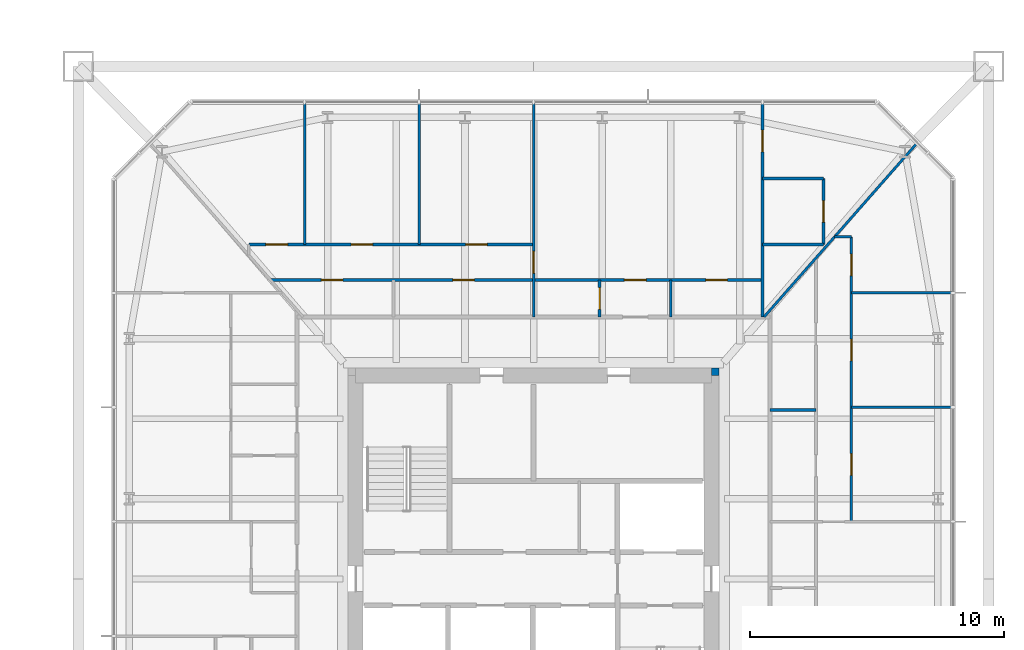
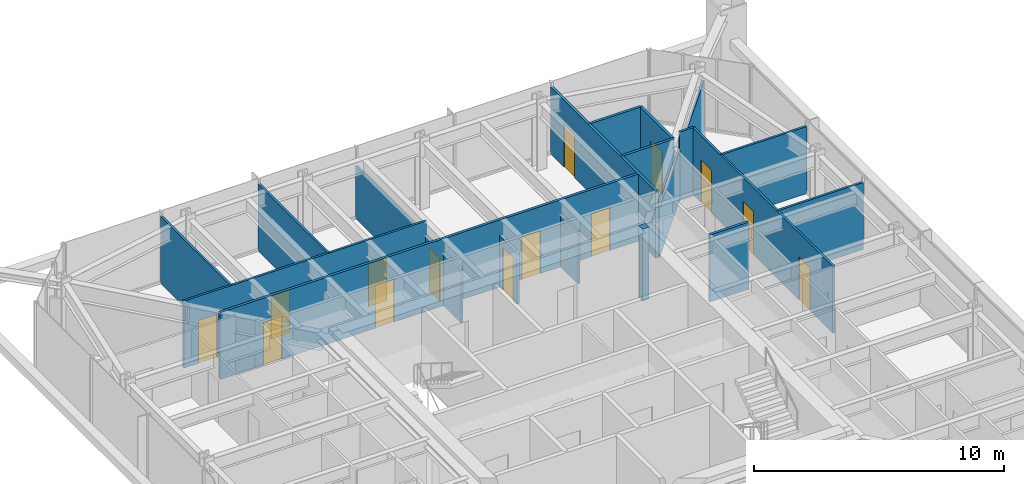
# One storey, part 22 of 27: 18 walls, 14 doors, 14 openings.
"""IFC4 building model written with IfcOpenShell, lengths in metres."""

from ifc_helpers import new_model, si_unit, direction, frame, frame_2d, origin, place, context, subcontext, project, spatial, rectangle, extrude, material, layer, layer_set, type_object, element, fill, save


model = new_model("IFC4")

# Units and contexts
model_context = context("Model", 3, precision=1e-05, world=origin(), true_north=direction((0.0, 1.0)))
body_context = subcontext(model_context, "Body", "Model", "MODEL_VIEW")
ifc_project = project(units=[si_unit("LENGTHUNIT", "METRE"), si_unit("AREAUNIT", "SQUARE_METRE"), si_unit("VOLUMEUNIT", "CUBIC_METRE"), si_unit("PLANEANGLEUNIT", "RADIAN"), si_unit("MASSUNIT", "GRAM", prefix="KILO")], contexts=[model_context])

# Site, building, storey
site_placement = place(None, origin())
site = spatial("IfcSite", under=ifc_project, at=site_placement, CompositionType="ELEMENT")
building_placement = place(site_placement, origin())
building = spatial("IfcBuilding", under=site, at=building_placement, Name="Iwan Alto Co-Living Towers", CompositionType="ELEMENT")
storey_placement = place(building_placement, frame((0.0, 0.0, 53.5)))
storey = spatial("IfcBuildingStorey", under=building, at=storey_placement, Name="L14", CompositionType="ELEMENT", Elevation=53.5)

# Walls
ifc_material_1 = material(Name="Gypsum board")
ifc_layer_1 = layer(ifc_material_1, 0.012451171875, Name="Board", Category="Finish")
ifc_material_2 = material(Name="Steel ASTM A1003 ST33H cold-formed studs", Category="steel")
ifc_layer_2 = layer(ifc_material_2, 0.074951171875, Name="Studs", Category="Framing")
ifc_layer_3 = layer(ifc_material_1, 0.012451171875, Name="Board", Category="Finish")
ifc_layer_set_1 = layer_set([ifc_layer_1, ifc_layer_2, ifc_layer_3], Name="PARTITION 100")
wall_type_1 = type_object("IfcWallType", Name="PARTITION 100", PredefinedType="PARTITIONING", material=ifc_layer_set_1)
for number, where, z_axis, x_axis, name in (
    (1, (75.5, 6.75, 0.0), (0.0, 0.0, 1.0), (1.0, 0.0, 0.0), "Partition L14"),
    (2, (75.5, 11.25, 0.0), (0.0, 0.0, 1.0), (1.0, 0.0, 0.0), "Partition L14"),
):
    element("IfcWall", number, at=place(storey_placement, frame(where, z_axis=z_axis, x_axis=x_axis)), inside=storey, type_object=wall_type_1, Name=name, PredefinedType="PARTITIONING", context=body_context, shape_type="SweptSolid", body=[
        extrude(rectangle(XDim=3.93994140625, YDim=0.10009765625, at=frame_2d((1.969970703125, 0.0))), origin(), (0.0, 0.0, 1.0), 3.27001953125),
    ])

# Wall, openings, doors
wall_1_placement = place(storey_placement, frame((51.800048828125, 13.14990234375, 0.0), z_axis=(0.0, 0.0, 1.0), x_axis=(1.0, 0.0, 0.0)))
wall_1 = element("IfcWall", 3, at=wall_1_placement, inside=storey, type_object=wall_type_1, Name="Partition L14", PredefinedType="PARTITIONING", context=body_context, shape_type="SweptSolid", body=[
    extrude(rectangle(XDim=11.199951171875, YDim=0.10009765625, at=frame_2d((5.60009765625, 0.0))), origin(), (0.0, 0.0, 1.0), 3.27001953125),
])
opening_1_placement = place(wall_1_placement, frame((8.52490234375, 0.0, 0.0)))
opening_1 = element("IfcOpeningElement", 4, at=opening_1_placement, cuts=wall_1, Name="Opening D2", PredefinedType="OPENING", context=body_context, shape_type="SweptSolid", body=[
    extrude(rectangle(XDim=0.85009765625, YDim=2.10009765625, at=frame_2d((0.425048828125, 1.050048828125))), frame((0.0, 0.06005859375, 0.0), z_axis=(0.0, -1.0, 0.0), x_axis=(1.0, 0.0, 0.0)), (0.0, 0.0, 1.0), 0.1201171875),
])
opening_2_placement = place(wall_1_placement, frame((4.02490234375, 0.0, 0.0)))
opening_2 = element("IfcOpeningElement", 5, at=opening_2_placement, cuts=wall_1, Name="Opening D2", PredefinedType="OPENING", context=body_context, shape_type="SweptSolid", body=[
    extrude(rectangle(XDim=0.85009765625, YDim=2.10009765625, at=frame_2d((0.425048828125, 1.050048828125))), frame((0.0, 0.06005859375, 0.0), z_axis=(0.0, -1.0, 0.0), x_axis=(1.0, 0.0, 0.0)), (0.0, 0.0, 1.0), 0.1201171875),
])
opening_3_placement = place(wall_1_placement, frame((0.675048828125, 0.0, 0.0)))
opening_3 = element("IfcOpeningElement", 6, at=opening_3_placement, cuts=wall_1, Name="Opening D2", PredefinedType="OPENING", context=body_context, shape_type="SweptSolid", body=[
    extrude(rectangle(XDim=0.85009765625, YDim=2.10009765625, at=frame_2d((0.425048828125, 1.050048828125))), frame((0.0, 0.06005859375, 0.0), z_axis=(0.0, -1.0, 0.0), x_axis=(1.0, 0.0, 0.0)), (0.0, 0.0, 1.0), 0.1201171875),
])
ifc_material_3 = material(Name="Timber leaf in steel frame", Category="steel")
door_type = type_object("IfcDoorType", Name="ROOM DOOR 850X2100", OperationType="SINGLE_SWING_LEFT", PredefinedType="DOOR", material=ifc_material_3)
door_1_placement = place(opening_1_placement, origin())
door_1 = element("IfcDoor", 7, at=door_1_placement, inside=storey, type_object=door_type, Name="Study door L14", OperationType="SINGLE_SWING_LEFT", OverallHeight=2.10009765625, OverallWidth=0.85009765625, PredefinedType="DOOR", context=body_context, shape_type="SweptSolid", body=[
    extrude(rectangle(XDim=0.85009765625, YDim=2.10009765625, at=frame_2d((0.425048828125, 1.050048828125))), frame((0.0, 0.02490234375, 0.0), z_axis=(0.0, -1.0, 0.0), x_axis=(1.0, 0.0, 0.0)), (0.0, 0.0, 1.0), 0.050048828125),
])
fill(opening_1, door_1)
door_2_placement = place(opening_2_placement, origin())
door_2 = element("IfcDoor", 8, at=door_2_placement, inside=storey, type_object=door_type, Name="Bedroom door L14", OperationType="SINGLE_SWING_LEFT", OverallHeight=2.10009765625, OverallWidth=0.85009765625, PredefinedType="DOOR", context=body_context, shape_type="SweptSolid", body=[
    extrude(rectangle(XDim=0.85009765625, YDim=2.10009765625, at=frame_2d((0.425048828125, 1.050048828125))), frame((0.0, 0.02490234375, 0.0), z_axis=(0.0, -1.0, 0.0), x_axis=(1.0, 0.0, 0.0)), (0.0, 0.0, 1.0), 0.050048828125),
])
fill(opening_2, door_2)
door_3_placement = place(opening_3_placement, origin())
door_3 = element("IfcDoor", 9, at=door_3_placement, inside=storey, type_object=door_type, Name="Bedroom door L14", OperationType="SINGLE_SWING_RIGHT", OverallHeight=2.10009765625, OverallWidth=0.85009765625, PredefinedType="DOOR", context=body_context, shape_type="SweptSolid", body=[
    extrude(rectangle(XDim=0.85009765625, YDim=2.10009765625, at=frame_2d((0.425048828125, 1.050048828125))), frame((0.0, 0.02490234375, 0.0), z_axis=(0.0, -1.0, 0.0), x_axis=(1.0, 0.0, 0.0)), (0.0, 0.0, 1.0), 0.050048828125),
])
fill(opening_3, door_3)

# Walls
wall_2_placement = place(storey_placement, frame((74.8359375, 13.449951171875, 0.0), z_axis=(0.0, 0.0, 1.0), x_axis=(1.0, 0.0, 0.0)))
element("IfcWall", 10, at=wall_2_placement, inside=storey, type_object=wall_type_1, Name="Partition L14", PredefinedType="PARTITIONING", context=body_context, shape_type="SweptSolid", body=[
    extrude(rectangle(XDim=0.6640625, YDim=0.10009765625, at=frame_2d((0.33203125, 0.0))), origin(), (0.0, 0.0, 1.0), 3.27001953125),
])
wall_3_placement = place(storey_placement, frame((72.06396484375, 10.300048828125, 0.0), z_axis=(0.0, 0.0, 1.0), x_axis=(0.660700699661, 0.750649442461, 0.0)))
element("IfcWall", 11, at=wall_3_placement, inside=storey, type_object=wall_type_1, Name="Partition L14", PredefinedType="PARTITIONING", context=body_context, shape_type="SweptSolid", body=[
    extrude(rectangle(XDim=9.07080078125, YDim=0.10009765625, at=frame_2d((4.535400390625, 0.0))), origin(), (0.0, 0.0, 1.0), 2.42919921875),
])

# Wall, openings, doors
wall_4_placement = place(storey_placement, frame((75.5, 2.25, 0.0), z_axis=(0.0, 0.0, 1.0), x_axis=(0.0, 1.0, 0.0)))
wall_4 = element("IfcWall", 12, at=wall_4_placement, inside=storey, type_object=wall_type_1, Name="Partition L14", PredefinedType="PARTITIONING", context=body_context, shape_type="SweptSolid", body=[
    extrude(rectangle(XDim=11.199951171875, YDim=0.10009765625, at=frame_2d((5.60009765625, 0.0))), origin(), (0.0, 0.0, 1.0), 3.27001953125),
])
opening_4_placement = place(wall_4_placement, frame((1.824951171875, 0.0, 0.0)))
opening_4 = element("IfcOpeningElement", 13, at=opening_4_placement, cuts=wall_4, Name="Opening D2", PredefinedType="OPENING", context=body_context, shape_type="SweptSolid", body=[
    extrude(rectangle(XDim=0.85009765625, YDim=2.10009765625, at=frame_2d((0.425048828125, 1.050048828125))), frame((0.0, 0.06005859375, 0.0), z_axis=(0.0, -1.0, 0.0), x_axis=(1.0, 0.0, 0.0)), (0.0, 0.0, 1.0), 0.1201171875),
])
opening_5_placement = place(wall_4_placement, frame((6.324951171875, 0.0, 0.0)))
opening_5 = element("IfcOpeningElement", 14, at=opening_5_placement, cuts=wall_4, Name="Opening D2", PredefinedType="OPENING", context=body_context, shape_type="SweptSolid", body=[
    extrude(rectangle(XDim=0.85009765625, YDim=2.10009765625, at=frame_2d((0.425048828125, 1.050048828125))), frame((0.0, 0.06005859375, 0.0), z_axis=(0.0, -1.0, 0.0), x_axis=(1.0, 0.0, 0.0)), (0.0, 0.0, 1.0), 0.1201171875),
])
opening_6_placement = place(wall_4_placement, frame((9.675048828125, 0.0, 0.0)))
opening_6 = element("IfcOpeningElement", 15, at=opening_6_placement, cuts=wall_4, Name="Opening D2", PredefinedType="OPENING", context=body_context, shape_type="SweptSolid", body=[
    extrude(rectangle(XDim=0.85009765625, YDim=2.10009765625, at=frame_2d((0.425048828125, 1.050048828125))), frame((0.0, 0.06005859375, 0.0), z_axis=(0.0, -1.0, 0.0), x_axis=(1.0, 0.0, 0.0)), (0.0, 0.0, 1.0), 0.1201171875),
])
door_4_placement = place(opening_4_placement, frame((0.85009765625, 0.0, 0.0), z_axis=(0.0, 0.0, 1.0), x_axis=(-1.0, 0.0, 0.0)))
door_4 = element("IfcDoor", 16, at=door_4_placement, inside=storey, type_object=door_type, Name="Family room door L14", OperationType="SINGLE_SWING_RIGHT", OverallHeight=2.10009765625, OverallWidth=0.85009765625, PredefinedType="DOOR", context=body_context, shape_type="SweptSolid", body=[
    extrude(rectangle(XDim=0.85009765625, YDim=2.10009765625, at=frame_2d((0.425048828125, 1.050048828125))), frame((0.0, 0.02490234375, 0.0), z_axis=(0.0, -1.0, 0.0), x_axis=(1.0, 0.0, 0.0)), (0.0, 0.0, 1.0), 0.050048828125),
])
fill(opening_4, door_4)
door_5_placement = place(opening_5_placement, frame((0.85009765625, 0.0, 0.0), z_axis=(0.0, 0.0, 1.0), x_axis=(-1.0, 0.0, 0.0)))
door_5 = element("IfcDoor", 17, at=door_5_placement, inside=storey, type_object=door_type, Name="Bedroom door L14", OperationType="SINGLE_SWING_RIGHT", OverallHeight=2.10009765625, OverallWidth=0.85009765625, PredefinedType="DOOR", context=body_context, shape_type="SweptSolid", body=[
    extrude(rectangle(XDim=0.85009765625, YDim=2.10009765625, at=frame_2d((0.425048828125, 1.050048828125))), frame((0.0, 0.02490234375, 0.0), z_axis=(0.0, -1.0, 0.0), x_axis=(1.0, 0.0, 0.0)), (0.0, 0.0, 1.0), 0.050048828125),
])
fill(opening_5, door_5)
door_6_placement = place(opening_6_placement, frame((0.85009765625, 0.0, 0.0), z_axis=(0.0, 0.0, 1.0), x_axis=(-1.0, 0.0, 0.0)))
door_6 = element("IfcDoor", 18, at=door_6_placement, inside=storey, type_object=door_type, Name="Study door L14", OperationType="SINGLE_SWING_RIGHT", OverallHeight=2.10009765625, OverallWidth=0.85009765625, PredefinedType="DOOR", context=body_context, shape_type="SweptSolid", body=[
    extrude(rectangle(XDim=0.85009765625, YDim=2.10009765625, at=frame_2d((0.425048828125, 1.050048828125))), frame((0.0, 0.02490234375, 0.0), z_axis=(0.0, -1.0, 0.0), x_axis=(1.0, 0.0, 0.0)), (0.0, 0.0, 1.0), 0.050048828125),
])
fill(opening_6, door_6)

# Wall
wall_5_placement = place(storey_placement, frame((68.39990234375, 10.300048828125, 0.0), z_axis=(0.0, 0.0, 1.0), x_axis=(0.0, 1.0, 0.0)))
element("IfcWall", 19, at=wall_5_placement, inside=storey, type_object=wall_type_1, Name="Partition L14", PredefinedType="PARTITIONING", context=body_context, shape_type="SweptSolid", body=[
    extrude(rectangle(XDim=1.449951171875, YDim=0.10009765625, at=frame_2d((0.72509765625, 0.0))), origin(), (0.0, 0.0, 1.0), 2.586669921875),
])

# Wall, opening, door
wall_6_placement = place(storey_placement, frame((63.0, 10.300048828125, 0.0), z_axis=(0.0, 0.0, 1.0), x_axis=(0.0, 1.0, 0.0)))
wall_6 = element("IfcWall", 20, at=wall_6_placement, inside=storey, type_object=wall_type_1, Name="Partition L14", PredefinedType="PARTITIONING", context=body_context, shape_type="SweptSolid", body=[
    extrude(rectangle(XDim=8.389892578125, YDim=0.10009765625, at=frame_2d((4.19482421875, 0.0))), origin(), (0.0, 0.0, 1.0), 2.586669921875),
])
opening_7_placement = place(wall_6_placement, frame((1.72509765625, 0.0, 0.0)))
opening_7 = element("IfcOpeningElement", 21, at=opening_7_placement, cuts=wall_6, Name="Opening D2", PredefinedType="OPENING", context=body_context, shape_type="SweptSolid", body=[
    extrude(rectangle(XDim=0.85009765625, YDim=2.10009765625, at=frame_2d((0.425048828125, 1.050048828125))), frame((0.0, 0.06005859375, 0.0), z_axis=(0.0, -1.0, 0.0), x_axis=(1.0, 0.0, 0.0)), (0.0, 0.0, 1.0), 0.1201171875),
])
door_7_placement = place(opening_7_placement, frame((0.85009765625, 0.0, 0.0), z_axis=(0.0, 0.0, 1.0), x_axis=(-1.0, 0.0, 0.0)))
door_7 = element("IfcDoor", 22, at=door_7_placement, inside=storey, type_object=door_type, Name="Apartment hall door L14", OperationType="SINGLE_SWING_RIGHT", OverallHeight=2.10009765625, OverallWidth=0.85009765625, PredefinedType="DOOR", context=body_context, shape_type="SweptSolid", body=[
    extrude(rectangle(XDim=0.85009765625, YDim=2.10009765625, at=frame_2d((0.425048828125, 1.050048828125))), frame((0.0, 0.02490234375, 0.0), z_axis=(0.0, -1.0, 0.0), x_axis=(1.0, 0.0, 0.0)), (0.0, 0.0, 1.0), 0.050048828125),
])
fill(opening_7, door_7)

# Walls
for number, where, z_axis, x_axis, name in (
    (23, (58.5, 13.14990234375, 0.0), (0.0, 0.0, 1.0), (0.0, 1.0, 0.0), "Partition L14"),
    (24, (54.0, 13.14990234375, 0.0), (0.0, 0.0, 1.0), (0.0, 1.0, 0.0), "Partition L14"),
):
    element("IfcWall", number, at=place(storey_placement, frame(where, z_axis=z_axis, x_axis=x_axis)), inside=storey, type_object=wall_type_1, Name=name, PredefinedType="PARTITIONING", context=body_context, shape_type="SweptSolid", body=[
        extrude(rectangle(XDim=5.5400390625, YDim=0.10009765625, at=frame_2d((2.77001953125, 0.0))), origin(), (0.0, 0.0, 1.0), 3.27001953125),
    ])
ifc_material_4 = material(Name="Concrete f'c 70 MPa", Category="concrete")
ifc_layer_4 = layer(ifc_material_4, 0.300048828125)
ifc_layer_set_2 = layer_set([ifc_layer_4], Name="T2 CORE CORNER FILL 300")
wall_type_2 = type_object("IfcWallType", Name="T2 CORE CORNER FILL 300", PredefinedType="SOLIDWALL", material=ifc_layer_set_2)
wall_7_placement = place(storey_placement, frame((70.0, 8.14990234375, 0.0), z_axis=(0.0, 0.0, 1.0), x_axis=(1.0, 0.0, 0.0)))
element("IfcWall", 25, at=wall_7_placement, inside=storey, type_object=wall_type_2, Name="T2 core corner NE L14", PredefinedType="SOLIDWALL", context=body_context, shape_type="SweptSolid", body=[
    extrude(rectangle(XDim=0.300048828125, YDim=0.300048828125, at=frame_2d((0.14990234375, 0.0))), origin(), (0.0, 0.0, 1.0), 3.5),
])
ifc_material_5 = material(Name="Cement board")
ifc_layer_5 = layer(ifc_material_5, 0.012451171875, Name="Board", Category="Finish")
ifc_layer_6 = layer(ifc_material_2, 0.094970703125, Name="Studs", Category="Framing")
ifc_layer_7 = layer(ifc_material_5, 0.012451171875, Name="Board", Category="Finish")
ifc_layer_set_3 = layer_set([ifc_layer_5, ifc_layer_6, ifc_layer_7], Name="WET AREA PARTITION 120")
wall_type_3 = type_object("IfcWallType", Name="WET AREA PARTITION 120", PredefinedType="PARTITIONING", material=ifc_layer_set_3)
wall_8_placement = place(storey_placement, frame((72.300048828125, 6.64990234375, 0.0), z_axis=(0.0, 0.0, 1.0), x_axis=(1.0, 0.0, 0.0)))
element("IfcWall", 26, at=wall_8_placement, inside=storey, type_object=wall_type_3, Name="Partition L14", PredefinedType="PARTITIONING", context=body_context, shape_type="SweptSolid", body=[
    extrude(rectangle(XDim=1.800048828125, YDim=0.1201171875, at=frame_2d((0.89990234375, 0.0))), origin(), (0.0, 0.0, 1.0), 3.27001953125),
])

# Wall, openings, doors
wall_9_placement = place(storey_placement, frame((52.659912109375, 11.75, 0.0), z_axis=(0.0, 0.0, 1.0), x_axis=(1.0, 0.0, 0.0)))
wall_9 = element("IfcWall", 27, at=wall_9_placement, inside=storey, type_object=wall_type_3, Name="Partition L14", PredefinedType="PARTITIONING", context=body_context, shape_type="SweptSolid", body=[
    extrude(rectangle(XDim=19.340087890625, YDim=0.1201171875, at=frame_2d((9.669921875, 0.0))), origin(), (0.0, 0.0, 1.0), 3.27001953125),
])
opening_8_placement = place(wall_9_placement, frame((17.114990234375, 0.0, 0.0)))
opening_8 = element("IfcOpeningElement", 28, at=opening_8_placement, cuts=wall_9, Name="Opening D2", PredefinedType="OPENING", context=body_context, shape_type="SweptSolid", body=[
    extrude(rectangle(XDim=0.85009765625, YDim=2.10009765625, at=frame_2d((0.425048828125, 1.050048828125))), frame((0.0, 0.070068359375, 0.0), z_axis=(0.0, -1.0, 0.0), x_axis=(1.0, 0.0, 0.0)), (0.0, 0.0, 1.0), 0.14013671875),
])
opening_9_placement = place(wall_9_placement, frame((13.9150390625, 0.0, 0.0)))
opening_9 = element("IfcOpeningElement", 29, at=opening_9_placement, cuts=wall_9, Name="Opening D2", PredefinedType="OPENING", context=body_context, shape_type="SweptSolid", body=[
    extrude(rectangle(XDim=0.85009765625, YDim=2.10009765625, at=frame_2d((0.425048828125, 1.050048828125))), frame((0.0, 0.070068359375, 0.0), z_axis=(0.0, -1.0, 0.0), x_axis=(1.0, 0.0, 0.0)), (0.0, 0.0, 1.0), 0.14013671875),
])
opening_10_placement = place(wall_9_placement, frame((7.1650390625, 0.0, 0.0)))
opening_10 = element("IfcOpeningElement", 30, at=opening_10_placement, cuts=wall_9, Name="Opening D2", PredefinedType="OPENING", context=body_context, shape_type="SweptSolid", body=[
    extrude(rectangle(XDim=0.85009765625, YDim=2.10009765625, at=frame_2d((0.425048828125, 1.050048828125))), frame((0.0, 0.070068359375, 0.0), z_axis=(0.0, -1.0, 0.0), x_axis=(1.0, 0.0, 0.0)), (0.0, 0.0, 1.0), 0.14013671875),
])
opening_11_placement = place(wall_9_placement, frame((1.9951171875, 0.0, 0.0)))
opening_11 = element("IfcOpeningElement", 31, at=opening_11_placement, cuts=wall_9, Name="Opening D2", PredefinedType="OPENING", context=body_context, shape_type="SweptSolid", body=[
    extrude(rectangle(XDim=0.85009765625, YDim=2.10009765625, at=frame_2d((0.425048828125, 1.050048828125))), frame((0.0, 0.070068359375, 0.0), z_axis=(0.0, -1.0, 0.0), x_axis=(1.0, 0.0, 0.0)), (0.0, 0.0, 1.0), 0.14013671875),
])
door_8_placement = place(opening_8_placement, origin())
door_8 = element("IfcDoor", 32, at=door_8_placement, inside=storey, type_object=door_type, Name="Kitchen door L14", OperationType="SINGLE_SWING_RIGHT", OverallHeight=2.10009765625, OverallWidth=0.85009765625, PredefinedType="DOOR", context=body_context, shape_type="SweptSolid", body=[
    extrude(rectangle(XDim=0.85009765625, YDim=2.10009765625, at=frame_2d((0.425048828125, 1.050048828125))), frame((0.0, 0.02490234375, 0.0), z_axis=(0.0, -1.0, 0.0), x_axis=(1.0, 0.0, 0.0)), (0.0, 0.0, 1.0), 0.050048828125),
])
fill(opening_8, door_8)
door_9_placement = place(opening_9_placement, origin())
door_9 = element("IfcDoor", 33, at=door_9_placement, inside=storey, type_object=door_type, Name="Apartment foyer door L14", OperationType="SINGLE_SWING_LEFT", OverallHeight=2.10009765625, OverallWidth=0.85009765625, PredefinedType="DOOR", context=body_context, shape_type="SweptSolid", body=[
    extrude(rectangle(XDim=0.85009765625, YDim=2.10009765625, at=frame_2d((0.425048828125, 1.050048828125))), frame((0.0, 0.02490234375, 0.0), z_axis=(0.0, -1.0, 0.0), x_axis=(1.0, 0.0, 0.0)), (0.0, 0.0, 1.0), 0.050048828125),
])
fill(opening_9, door_9)
door_10_placement = place(opening_10_placement, frame((0.85009765625, 0.0, 0.0), z_axis=(0.0, 0.0, 1.0), x_axis=(-1.0, 0.0, 0.0)))
door_10 = element("IfcDoor", 34, at=door_10_placement, inside=storey, type_object=door_type, Name="Utility room door L14", OperationType="SINGLE_SWING_RIGHT", OverallHeight=2.10009765625, OverallWidth=0.85009765625, PredefinedType="DOOR", context=body_context, shape_type="SweptSolid", body=[
    extrude(rectangle(XDim=0.85009765625, YDim=2.10009765625, at=frame_2d((0.425048828125, 1.050048828125))), frame((0.0, 0.02490234375, 0.0), z_axis=(0.0, -1.0, 0.0), x_axis=(1.0, 0.0, 0.0)), (0.0, 0.0, 1.0), 0.050048828125),
])
fill(opening_10, door_10)
door_11_placement = place(opening_11_placement, frame((0.85009765625, 0.0, 0.0), z_axis=(0.0, 0.0, 1.0), x_axis=(-1.0, 0.0, 0.0)))
door_11 = element("IfcDoor", 35, at=door_11_placement, inside=storey, type_object=door_type, Name="Store room door L14", OperationType="SINGLE_SWING_RIGHT", OverallHeight=2.10009765625, OverallWidth=0.85009765625, PredefinedType="DOOR", context=body_context, shape_type="SweptSolid", body=[
    extrude(rectangle(XDim=0.85009765625, YDim=2.10009765625, at=frame_2d((0.425048828125, 1.050048828125))), frame((0.0, 0.02490234375, 0.0), z_axis=(0.0, -1.0, 0.0), x_axis=(1.0, 0.0, 0.0)), (0.0, 0.0, 1.0), 0.050048828125),
])
fill(opening_11, door_11)

# Walls
for number, where, z_axis, x_axis, name in (
    (36, (72.0, 13.14990234375, 0.0), (0.0, 0.0, 1.0), (1.0, 0.0, 0.0), "Partition L14"),
    (37, (72.0, 15.75, 0.0), (0.0, 0.0, 1.0), (1.0, 0.0, 0.0), "Partition L14"),
):
    element("IfcWall", number, at=place(storey_placement, frame(where, z_axis=z_axis, x_axis=x_axis)), inside=storey, type_object=wall_type_3, Name=name, PredefinedType="PARTITIONING", context=body_context, shape_type="SweptSolid", body=[
        extrude(rectangle(XDim=2.39990234375, YDim=0.1201171875, at=frame_2d((1.199951171875, 0.0))), origin(), (0.0, 0.0, 1.0), 3.27001953125),
    ])

# Wall, opening, door
wall_10_placement = place(storey_placement, frame((74.39990234375, 13.14990234375, 0.0), z_axis=(0.0, 0.0, 1.0), x_axis=(0.0, 1.0, 0.0)))
wall_10 = element("IfcWall", 38, at=wall_10_placement, inside=storey, type_object=wall_type_3, Name="Partition L14", PredefinedType="PARTITIONING", context=body_context, shape_type="SweptSolid", body=[
    extrude(rectangle(XDim=2.60009765625, YDim=0.1201171875, at=frame_2d((1.300048828125, 0.0))), origin(), (0.0, 0.0, 1.0), 3.27001953125),
])
opening_12_placement = place(wall_10_placement, frame((0.875, 0.0, 0.0)))
opening_12 = element("IfcOpeningElement", 39, at=opening_12_placement, cuts=wall_10, Name="Opening D2", PredefinedType="OPENING", context=body_context, shape_type="SweptSolid", body=[
    extrude(rectangle(XDim=0.85009765625, YDim=2.10009765625, at=frame_2d((0.425048828125, 1.050048828125))), frame((0.0, 0.070068359375, 0.0), z_axis=(0.0, -1.0, 0.0), x_axis=(1.0, 0.0, 0.0)), (0.0, 0.0, 1.0), 0.14013671875),
])
door_12_placement = place(opening_12_placement, frame((0.85009765625, 0.0, 0.0), z_axis=(0.0, 0.0, 1.0), x_axis=(-1.0, 0.0, 0.0)))
door_12 = element("IfcDoor", 40, at=door_12_placement, inside=storey, type_object=door_type, Name="En-suite shower room door L14", OperationType="SINGLE_SWING_RIGHT", OverallHeight=2.10009765625, OverallWidth=0.85009765625, PredefinedType="DOOR", context=body_context, shape_type="SweptSolid", body=[
    extrude(rectangle(XDim=0.85009765625, YDim=2.10009765625, at=frame_2d((0.425048828125, 1.050048828125))), frame((0.0, 0.02490234375, 0.0), z_axis=(0.0, -1.0, 0.0), x_axis=(1.0, 0.0, 0.0)), (0.0, 0.0, 1.0), 0.050048828125),
])
fill(opening_12, door_12)

wall_11_placement = place(storey_placement, frame((72.0, 10.300048828125, 0.0), z_axis=(0.0, 0.0, 1.0), x_axis=(0.0, 1.0, 0.0)))
wall_11 = element("IfcWall", 41, at=wall_11_placement, inside=storey, type_object=wall_type_3, Name="Partition L14", PredefinedType="PARTITIONING", context=body_context, shape_type="SweptSolid", body=[
    extrude(rectangle(XDim=8.389892578125, YDim=0.1201171875, at=frame_2d((4.19482421875, 0.0))), origin(), (0.0, 0.0, 1.0), 3.27001953125),
])
opening_13_placement = place(wall_11_placement, frame((6.4951171875, 0.0, 0.0)))
opening_13 = element("IfcOpeningElement", 42, at=opening_13_placement, cuts=wall_11, Name="Opening D2", PredefinedType="OPENING", context=body_context, shape_type="SweptSolid", body=[
    extrude(rectangle(XDim=0.85009765625, YDim=2.10009765625, at=frame_2d((0.425048828125, 1.050048828125))), frame((0.0, 0.070068359375, 0.0), z_axis=(0.0, -1.0, 0.0), x_axis=(1.0, 0.0, 0.0)), (0.0, 0.0, 1.0), 0.14013671875),
])
door_13_placement = place(opening_13_placement, origin())
door_13 = element("IfcDoor", 43, at=door_13_placement, inside=storey, type_object=door_type, Name="Bedroom door L14", OperationType="SINGLE_SWING_RIGHT", OverallHeight=2.10009765625, OverallWidth=0.85009765625, PredefinedType="DOOR", context=body_context, shape_type="SweptSolid", body=[
    extrude(rectangle(XDim=0.85009765625, YDim=2.10009765625, at=frame_2d((0.425048828125, 1.050048828125))), frame((0.0, 0.02490234375, 0.0), z_axis=(0.0, -1.0, 0.0), x_axis=(1.0, 0.0, 0.0)), (0.0, 0.0, 1.0), 0.050048828125),
])
fill(opening_13, door_13)

wall_12_placement = place(storey_placement, frame((65.60009765625, 10.300048828125, 0.0), z_axis=(0.0, 0.0, 1.0), x_axis=(0.0, 1.0, 0.0)))
wall_12 = element("IfcWall", 44, at=wall_12_placement, inside=storey, type_object=wall_type_3, Name="Partition L14", PredefinedType="PARTITIONING", context=body_context, shape_type="SweptSolid", body=[
    extrude(rectangle(XDim=1.449951171875, YDim=0.1201171875, at=frame_2d((0.72509765625, 0.0))), origin(), (0.0, 0.0, 1.0), 2.508056640625),
])
opening_14_placement = place(wall_12_placement, frame((0.300048828125, 0.0, 0.0)))
opening_14 = element("IfcOpeningElement", 45, at=opening_14_placement, cuts=wall_12, Name="Opening D2", PredefinedType="OPENING", context=body_context, shape_type="SweptSolid", body=[
    extrude(rectangle(XDim=0.85009765625, YDim=2.10009765625, at=frame_2d((0.425048828125, 1.050048828125))), frame((0.0, 0.070068359375, 0.0), z_axis=(0.0, -1.0, 0.0), x_axis=(1.0, 0.0, 0.0)), (0.0, 0.0, 1.0), 0.14013671875),
])
door_14_placement = place(opening_14_placement, origin())
door_14 = element("IfcDoor", 46, at=door_14_placement, inside=storey, type_object=door_type, Name="Shower room door L14", OperationType="SINGLE_SWING_LEFT", OverallHeight=2.10009765625, OverallWidth=0.85009765625, PredefinedType="DOOR", context=body_context, shape_type="SweptSolid", body=[
    extrude(rectangle(XDim=0.85009765625, YDim=2.10009765625, at=frame_2d((0.425048828125, 1.050048828125))), frame((0.0, 0.02490234375, 0.0), z_axis=(0.0, -1.0, 0.0), x_axis=(1.0, 0.0, 0.0)), (0.0, 0.0, 1.0), 0.050048828125),
])
fill(opening_14, door_14)

save(model, "model.ifc")
